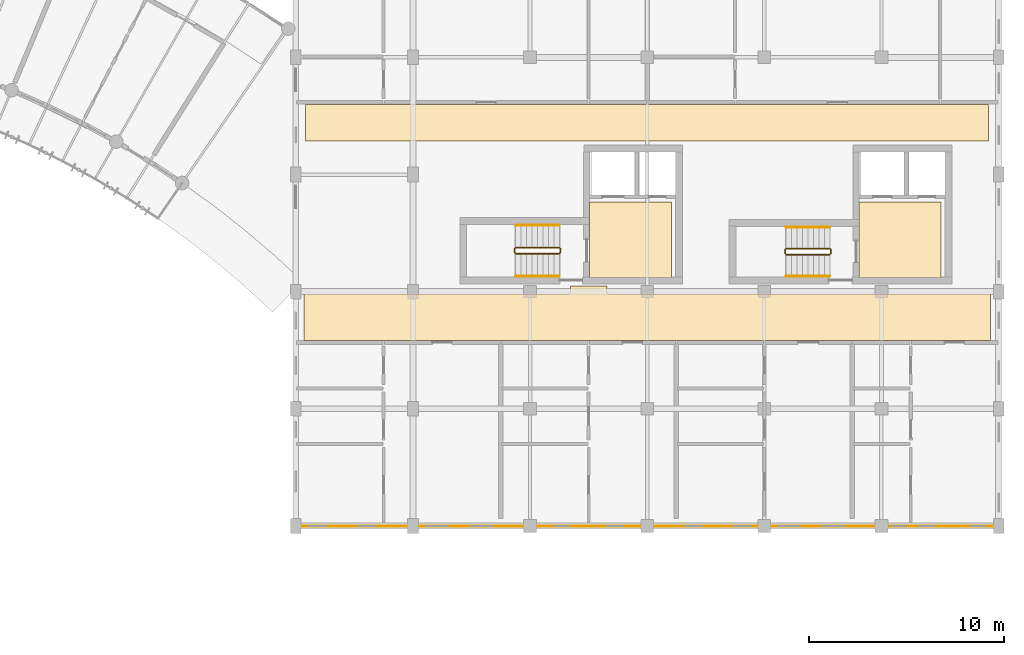
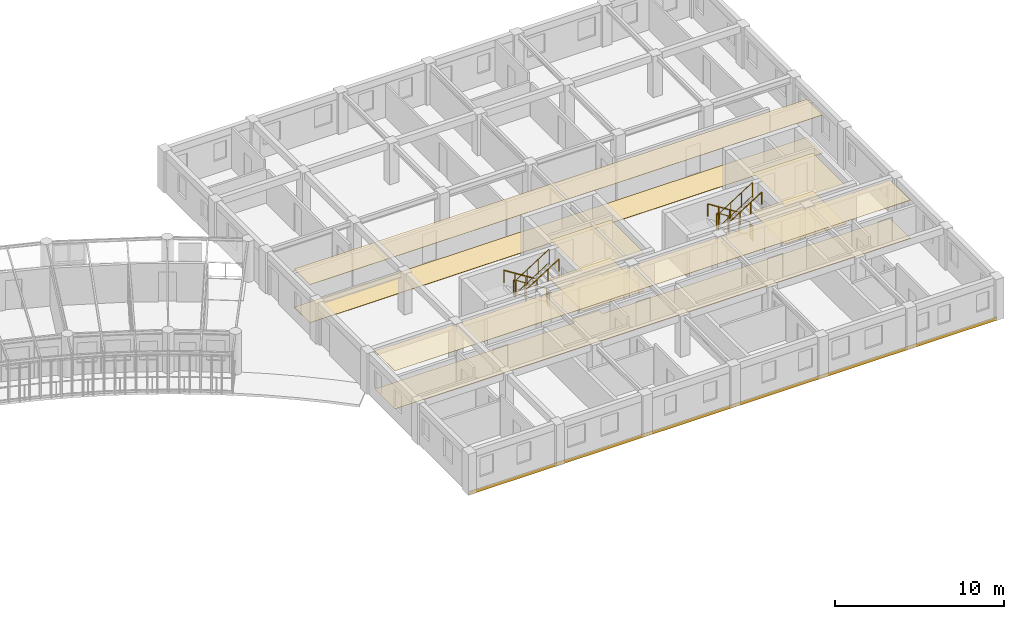
# One storey, part 99 of 100: 12 railings, 9 coverings.
"""IFC4 building model written with IfcOpenShell, lengths in metres."""

from ifc_helpers import new_model, si_unit, direction, frame, origin, origin_2d, place, context, subcontext, project, spatial, polyline, circle, outline, extrude, material, layer, layer_set, type_object, element, save


model = new_model("IFC4")

# Units and contexts
model_context = context("Model", 3, precision=1e-05, world=origin(), true_north=direction((0.0, 1.0)))
body_context = subcontext(model_context, "Body", "Model", "MODEL_VIEW")
ifc_project = project(units=[si_unit("LENGTHUNIT", "METRE"), si_unit("AREAUNIT", "SQUARE_METRE"), si_unit("VOLUMEUNIT", "CUBIC_METRE"), si_unit("PLANEANGLEUNIT", "RADIAN"), si_unit("MASSUNIT", "GRAM", prefix="KILO"), si_unit("POWERUNIT", "WATT"), si_unit("THERMODYNAMICTEMPERATUREUNIT", "KELVIN")], contexts=[model_context])

# Site, building, storey
site_placement = place(None, origin())
site = spatial("IfcSite", under=ifc_project, at=site_placement, CompositionType="ELEMENT")
building_placement = place(site_placement, origin())
building = spatial("IfcBuilding", under=site, at=building_placement, Name="Ruvembo Vaulted Housing Court", CompositionType="ELEMENT")
storey_placement = place(building_placement, frame((0.0, 0.0, 10.89990234375)))
storey = spatial("IfcBuildingStorey", under=building, at=storey_placement, Name="L03", CompositionType="ELEMENT", Elevation=10.89990234375)

# Coverings
ifc_material_1 = material(Name="Perforated Mineral-Fibre Acoustic Tile", Category="gypsum")
ifc_layer_1 = layer(ifc_material_1, 0.02001953125, Name="Perforated Mineral-Fibre Acoustic Tile")
ifc_layer_set_1 = layer_set([ifc_layer_1], Name="Perforated Mineral-Fibre Acoustic Tile")
covering_type_1 = type_object("IfcCoveringType", Name="COV-CEIL-ACOUST", PredefinedType="CEILING", material=ifc_layer_set_1)
covering_1_placement = place(storey_placement, frame((0.0, 0.0, 2.75)))
element("IfcCovering", 1, at=covering_1_placement, inside=storey, type_object=covering_type_1, Name="Protected Core Lobby D1 Ceiling", PredefinedType="CEILING", context=body_context, shape_type="SweptSolid", body=[
    extrude(outline(polyline([(169.25, 88.60009765625), (165.050048828125, 88.60009765625), (165.050048828125, 84.699951171875), (169.25, 84.699951171875), (169.25, 88.60009765625)])), origin(), (0.0, 0.0, 1.0), 0.02001953125),
])
covering_2_placement = place(storey_placement, frame((0.0, 0.0, 2.75)))
element("IfcCovering", 2, at=covering_2_placement, inside=storey, type_object=covering_type_1, Name="Protected Core Lobby D2 Ceiling", PredefinedType="CEILING", context=body_context, shape_type="SweptSolid", body=[
    extrude(outline(polyline([(183.050048828125, 88.60009765625), (178.85009765625, 88.60009765625), (178.85009765625, 84.699951171875), (183.050048828125, 84.699951171875), (183.050048828125, 88.60009765625)])), origin(), (0.0, 0.0, 1.0), 0.02001953125),
])
covering_3_placement = place(storey_placement, frame((0.0, 0.0, 2.75)))
element("IfcCovering", 3, at=covering_3_placement, inside=storey, type_object=covering_type_1, Name="Block D L03 Corridor Ceiling", PredefinedType="CEILING", context=body_context, shape_type="SweptSolid", body=[
    extrude(outline(polyline([(185.590087890625, 81.510009765625), (185.590087890625, 83.889892578125), (166.050048828125, 83.889892578125), (166.039306640625, 83.890380859375), (166.028564453125, 83.89208984375), (166.01806640625, 83.894775390625), (166.0078125, 83.8984375), (165.998046875, 83.903076171875), (165.989013671875, 83.908447265625), (165.980224609375, 83.9150390625), (165.97216796875, 83.922119140625), (165.965087890625, 83.93017578125), (165.95849609375, 83.93896484375), (165.952880859375, 83.947998046875), (165.948486328125, 83.9580078125), (165.944580078125, 83.968017578125), (165.942138671875, 83.978515625), (165.9404296875, 83.9892578125), (165.93994140625, 84.0), (165.93994140625, 84.2900390625), (164.06005859375, 84.2900390625), (164.06005859375, 84.0), (164.0595703125, 83.9892578125), (164.057861328125, 83.978515625), (164.055419921875, 83.968017578125), (164.051513671875, 83.9580078125), (164.047119140625, 83.947998046875), (164.04150390625, 83.93896484375), (164.034912109375, 83.93017578125), (164.02783203125, 83.922119140625), (164.019775390625, 83.9150390625), (164.010986328125, 83.908447265625), (164.001953125, 83.903076171875), (163.9921875, 83.8984375), (163.98193359375, 83.894775390625), (163.971435546875, 83.89208984375), (163.960693359375, 83.890380859375), (163.949951171875, 83.889892578125), (150.409912109375, 83.889892578125), (150.409912109375, 81.510009765625), (185.590087890625, 81.510009765625)])), origin(), (0.0, 0.0, 1.0), 0.02001953125),
])
covering_4_placement = place(storey_placement, frame((0.0, 0.0, 2.75)))
element("IfcCovering", 4, at=covering_4_placement, inside=storey, type_object=covering_type_1, Name="Block D L03 North Sub-Corridor Ceiling", PredefinedType="CEILING", context=body_context, shape_type="SweptSolid", body=[
    extrude(outline(polyline([(150.510009765625, 91.7099609375), (185.489990234375, 91.7099609375), (185.489990234375, 93.590087890625), (150.510009765625, 93.590087890625), (150.510009765625, 91.7099609375)])), origin(), (0.0, 0.0, 1.0), 0.02001953125),
])
ifc_material_2 = material(Name="Lime-Cement Mineral Render", Category="plaster")
ifc_layer_2 = layer(ifc_material_2, 0.02490234375, Name="Lime-Cement Mineral Render")
ifc_layer_set_2 = layer_set([ifc_layer_2], Name="Lime-Cement Mineral Render")
covering_type_2 = type_object("IfcCoveringType", Name="COV-CLAD-RENDER", PredefinedType="CLADDING", material=ifc_layer_set_2)
covering_5_placement = place(storey_placement, frame((0.0, 0.0, -0.25)))
element("IfcCovering", 5, at=covering_5_placement, inside=storey, type_object=covering_type_2, Name="Block D L03 Mineral Render Fascia Band", PredefinedType="CLADDING", context=body_context, shape_type="SweptSolid", body=[
    extrude(outline(polyline([(150.0, 71.969970703125), (186.0, 71.969970703125), (186.0, 72.0), (150.0, 72.0), (150.0, 71.969970703125)])), origin(), (0.0, 0.0, 1.0), 0.25),
])
ifc_material_3 = material(Name="Polished Cement-Aggregate Terrazzo", Category="stone")
ifc_layer_3 = layer(ifc_material_3, 0.02197265625, Name="Polished Cement-Aggregate Terrazzo")
ifc_layer_set_3 = layer_set([ifc_layer_3], Name="Polished Cement-Aggregate Terrazzo")
covering_type_3 = type_object("IfcCoveringType", Name="COV-FLR-CERAMIC", PredefinedType="FLOORING", material=ifc_layer_set_3)
covering_6_placement = place(storey_placement, origin())
element("IfcCovering", 6, at=covering_6_placement, inside=storey, type_object=covering_type_3, Name="Protected Core Lobby D1 Flooring", PredefinedType="FLOORING", context=body_context, shape_type="SweptSolid", body=[
    extrude(outline(polyline([(169.25, 88.60009765625), (165.050048828125, 88.60009765625), (165.050048828125, 84.699951171875), (169.25, 84.699951171875), (169.25, 88.60009765625)])), origin(), (0.0, 0.0, 1.0), 0.022216796875),
])
covering_7_placement = place(storey_placement, origin())
element("IfcCovering", 7, at=covering_7_placement, inside=storey, type_object=covering_type_3, Name="Protected Core Lobby D2 Flooring", PredefinedType="FLOORING", context=body_context, shape_type="SweptSolid", body=[
    extrude(outline(polyline([(183.050048828125, 88.60009765625), (178.85009765625, 88.60009765625), (178.85009765625, 84.699951171875), (183.050048828125, 84.699951171875), (183.050048828125, 88.60009765625)])), origin(), (0.0, 0.0, 1.0), 0.022216796875),
])
covering_8_placement = place(storey_placement, origin())
element("IfcCovering", 8, at=covering_8_placement, inside=storey, type_object=covering_type_3, Name="Block D L03 Corridor Flooring", PredefinedType="FLOORING", context=body_context, shape_type="SweptSolid", body=[
    extrude(outline(polyline([(185.590087890625, 81.510009765625), (185.590087890625, 83.889892578125), (166.050048828125, 83.889892578125), (166.039306640625, 83.890380859375), (166.028564453125, 83.89208984375), (166.01806640625, 83.894775390625), (166.0078125, 83.8984375), (165.998046875, 83.903076171875), (165.989013671875, 83.908447265625), (165.980224609375, 83.9150390625), (165.97216796875, 83.922119140625), (165.965087890625, 83.93017578125), (165.95849609375, 83.93896484375), (165.952880859375, 83.947998046875), (165.948486328125, 83.9580078125), (165.944580078125, 83.968017578125), (165.942138671875, 83.978515625), (165.9404296875, 83.9892578125), (165.93994140625, 84.0), (165.93994140625, 84.2900390625), (164.06005859375, 84.2900390625), (164.06005859375, 84.0), (164.0595703125, 83.9892578125), (164.057861328125, 83.978515625), (164.055419921875, 83.968017578125), (164.051513671875, 83.9580078125), (164.047119140625, 83.947998046875), (164.04150390625, 83.93896484375), (164.034912109375, 83.93017578125), (164.02783203125, 83.922119140625), (164.019775390625, 83.9150390625), (164.010986328125, 83.908447265625), (164.001953125, 83.903076171875), (163.9921875, 83.8984375), (163.98193359375, 83.894775390625), (163.971435546875, 83.89208984375), (163.960693359375, 83.890380859375), (163.949951171875, 83.889892578125), (150.409912109375, 83.889892578125), (150.409912109375, 81.510009765625), (185.590087890625, 81.510009765625)])), origin(), (0.0, 0.0, 1.0), 0.022216796875),
])
covering_9_placement = place(storey_placement, origin())
element("IfcCovering", 9, at=covering_9_placement, inside=storey, type_object=covering_type_3, Name="Block D L03 North Sub-Corridor Flooring", PredefinedType="FLOORING", context=body_context, shape_type="SweptSolid", body=[
    extrude(outline(polyline([(150.510009765625, 91.7099609375), (185.489990234375, 91.7099609375), (185.489990234375, 93.590087890625), (150.510009765625, 93.590087890625), (150.510009765625, 91.7099609375)])), origin(), (0.0, 0.0, 1.0), 0.022216796875),
])

# Railings
ifc_material_4 = material(Name="Painted Galvanised Steel S275", Category="steel")
ifc_layer_4 = layer(ifc_material_4, 0.06005859375, Name="Painted Galvanised Steel S275")
ifc_layer_set_4 = layer_set([ifc_layer_4], Name="Painted Galvanised Steel S275")
railing_type_1 = type_object("IfcRailingType", Name="RL-STAIR-GR1100", PredefinedType="GUARDRAIL", material=ifc_layer_set_4)
railing_1_placement = place(storey_placement, frame((163.5, 86.25, 0.177978515625)))
element("IfcRailing", 10, at=railing_1_placement, inside=storey, type_object=railing_type_1, Name="L03 ST-D1 stair guard 1", PredefinedType="GUARDRAIL", context=body_context, shape_type="SweptSolid", body=[
    extrude(circle(Radius=0.02392578125, at=origin_2d()), frame((0.0, 0.0, 1.076171875), z_axis=(-0.8442293374, 0.0, 0.53598211339), x_axis=(0.0, -1.0, 0.0)), (0.0, 0.0, 1.0), 2.6533203125),
    extrude(circle(Radius=0.01806640625, at=origin_2d()), frame((0.0, 0.0, 0.1201171875), z_axis=(-0.8442293374, 0.0, 0.53598211339), x_axis=(0.0, -1.0, 0.0)), (0.0, 0.0, 1.0), 2.6533203125),
    extrude(circle(Radius=0.02099609375, at=origin_2d()), origin(), (0.0, 0.0, 1.0), 1.052001953125),
    extrude(circle(Radius=0.02099609375, at=origin_2d()), frame((-0.74658203125, 0.0, 0.47412109375)), (0.0, 0.0, 1.0), 1.052001953125),
    extrude(circle(Radius=0.02099609375, at=origin_2d()), frame((-1.493408203125, 0.0, 0.947998046875)), (0.0, 0.0, 1.0), 1.052001953125),
    extrude(circle(Radius=0.02099609375, at=origin_2d()), frame((-2.239990234375, 0.0, 1.422119140625)), (0.0, 0.0, 1.0), 1.052001953125),
])
railing_2_placement = place(storey_placement, frame((161.2099609375, 86.199951171875, 1.60009765625)))
element("IfcRailing", 11, at=railing_2_placement, inside=storey, type_object=railing_type_1, Name="L03 ST-D1 stair guard 2", PredefinedType="GUARDRAIL", context=body_context, shape_type="SweptSolid", body=[
    extrude(circle(Radius=0.02392578125, at=origin_2d()), frame((0.0, 0.0, 1.076171875), z_axis=(0.0, -1.0, 0.0), x_axis=(1.0, 0.0, 0.0)), (0.0, 0.0, 1.0), 0.199951171875),
    extrude(circle(Radius=0.01806640625, at=origin_2d()), frame((0.0, 0.0, 0.1201171875), z_axis=(0.0, -1.0, 0.0), x_axis=(1.0, 0.0, 0.0)), (0.0, 0.0, 1.0), 0.199951171875),
    extrude(circle(Radius=0.02099609375, at=origin_2d()), origin(), (0.0, 0.0, 1.0), 1.052001953125),
    extrude(circle(Radius=0.02099609375, at=origin_2d()), frame((0.0, -0.199951171875, 0.0)), (0.0, 0.0, 1.0), 1.052001953125),
])
railing_3_placement = place(storey_placement, frame((161.260009765625, 85.949951171875, 1.77783203125)))
element("IfcRailing", 12, at=railing_3_placement, inside=storey, type_object=railing_type_1, Name="L03 ST-D1 stair guard 3", PredefinedType="GUARDRAIL", context=body_context, shape_type="SweptSolid", body=[
    extrude(circle(Radius=0.02392578125, at=origin_2d()), frame((0.0, 0.0, 1.076171875), z_axis=(0.84418770128, 0.0, 0.536047689118), x_axis=(0.0, 1.0, 0.0)), (0.0, 0.0, 1.0), 2.6533203125),
    extrude(circle(Radius=0.01806640625, at=origin_2d()), frame((0.0, 0.0, 0.1201171875), z_axis=(0.84418770128, 0.0, 0.536047689118), x_axis=(0.0, 1.0, 0.0)), (0.0, 0.0, 1.0), 2.6533203125),
    extrude(circle(Radius=0.02099609375, at=origin_2d()), origin(), (0.0, 0.0, 1.0), 1.052001953125),
    extrude(circle(Radius=0.02099609375, at=origin_2d()), frame((0.74658203125, 0.0, 0.47412109375)), (0.0, 0.0, 1.0), 1.052001953125),
    extrude(circle(Radius=0.02099609375, at=origin_2d()), frame((1.493408203125, 0.0, 0.9482421875)), (0.0, 0.0, 1.0), 1.052001953125),
    extrude(circle(Radius=0.02099609375, at=origin_2d()), frame((2.239990234375, 0.0, 1.42236328125)), (0.0, 0.0, 1.0), 1.052001953125),
])
railing_4_placement = place(storey_placement, frame((163.550048828125, 86.199951171875, 0.0)))
element("IfcRailing", 13, at=railing_4_placement, inside=storey, type_object=railing_type_1, Name="L03 ST-D1 stair guard 4", PredefinedType="GUARDRAIL", context=body_context, shape_type="SweptSolid", body=[
    extrude(circle(Radius=0.02392578125, at=origin_2d()), frame((0.0, 0.0, 1.076171875), z_axis=(0.0, -1.0, 0.0), x_axis=(1.0, 0.0, 0.0)), (0.0, 0.0, 1.0), 0.199951171875),
    extrude(circle(Radius=0.01806640625, at=origin_2d()), frame((0.0, 0.0, 0.1201171875), z_axis=(0.0, -1.0, 0.0), x_axis=(1.0, 0.0, 0.0)), (0.0, 0.0, 1.0), 0.199951171875),
    extrude(circle(Radius=0.02099609375, at=origin_2d()), origin(), (0.0, 0.0, 1.0), 1.052001953125),
    extrude(circle(Radius=0.02099609375, at=origin_2d()), frame((0.0, -0.199951171875, 0.0)), (0.0, 0.0, 1.0), 1.052001953125),
])
railing_5_placement = place(storey_placement, frame((177.35009765625, 86.199951171875, 0.177978515625)))
element("IfcRailing", 14, at=railing_5_placement, inside=storey, type_object=railing_type_1, Name="L03 ST-D2 stair guard 1", PredefinedType="GUARDRAIL", context=body_context, shape_type="SweptSolid", body=[
    extrude(circle(Radius=0.02392578125, at=origin_2d()), frame((0.0, 0.0, 1.076171875), z_axis=(-0.8442293374, 0.0, 0.53598211339), x_axis=(0.0, -1.0, 0.0)), (0.0, 0.0, 1.0), 2.6533203125),
    extrude(circle(Radius=0.01806640625, at=origin_2d()), frame((0.0, 0.0, 0.1201171875), z_axis=(-0.8442293374, 0.0, 0.53598211339), x_axis=(0.0, -1.0, 0.0)), (0.0, 0.0, 1.0), 2.6533203125),
    extrude(circle(Radius=0.02099609375, at=origin_2d()), origin(), (0.0, 0.0, 1.0), 1.052001953125),
    extrude(circle(Radius=0.02099609375, at=origin_2d()), frame((-0.74658203125, 0.0, 0.47412109375)), (0.0, 0.0, 1.0), 1.052001953125),
    extrude(circle(Radius=0.02099609375, at=origin_2d()), frame((-1.493408203125, 0.0, 0.947998046875)), (0.0, 0.0, 1.0), 1.052001953125),
    extrude(circle(Radius=0.02099609375, at=origin_2d()), frame((-2.239990234375, 0.0, 1.422119140625)), (0.0, 0.0, 1.0), 1.052001953125),
])
railing_6_placement = place(storey_placement, frame((175.06005859375, 86.14990234375, 1.60009765625)))
element("IfcRailing", 15, at=railing_6_placement, inside=storey, type_object=railing_type_1, Name="L03 ST-D2 stair guard 2", PredefinedType="GUARDRAIL", context=body_context, shape_type="SweptSolid", body=[
    extrude(circle(Radius=0.02392578125, at=origin_2d()), frame((0.0, 0.0, 1.076171875), z_axis=(0.0, -1.0, 0.0), x_axis=(1.0, 0.0, 0.0)), (0.0, 0.0, 1.0), 0.199951171875),
    extrude(circle(Radius=0.01806640625, at=origin_2d()), frame((0.0, 0.0, 0.1201171875), z_axis=(0.0, -1.0, 0.0), x_axis=(1.0, 0.0, 0.0)), (0.0, 0.0, 1.0), 0.199951171875),
    extrude(circle(Radius=0.02099609375, at=origin_2d()), origin(), (0.0, 0.0, 1.0), 1.052001953125),
    extrude(circle(Radius=0.02099609375, at=origin_2d()), frame((0.0, -0.199951171875, 0.0)), (0.0, 0.0, 1.0), 1.052001953125),
])
railing_7_placement = place(storey_placement, frame((175.110107421875, 85.89990234375, 1.77783203125)))
element("IfcRailing", 16, at=railing_7_placement, inside=storey, type_object=railing_type_1, Name="L03 ST-D2 stair guard 3", PredefinedType="GUARDRAIL", context=body_context, shape_type="SweptSolid", body=[
    extrude(circle(Radius=0.02392578125, at=origin_2d()), frame((0.0, 0.0, 1.076171875), z_axis=(0.84418770128, 0.0, 0.536047689118), x_axis=(0.0, 1.0, 0.0)), (0.0, 0.0, 1.0), 2.6533203125),
    extrude(circle(Radius=0.01806640625, at=origin_2d()), frame((0.0, 0.0, 0.1201171875), z_axis=(0.84418770128, 0.0, 0.536047689118), x_axis=(0.0, 1.0, 0.0)), (0.0, 0.0, 1.0), 2.6533203125),
    extrude(circle(Radius=0.02099609375, at=origin_2d()), origin(), (0.0, 0.0, 1.0), 1.052001953125),
    extrude(circle(Radius=0.02099609375, at=origin_2d()), frame((0.74658203125, 0.0, 0.47412109375)), (0.0, 0.0, 1.0), 1.052001953125),
    extrude(circle(Radius=0.02099609375, at=origin_2d()), frame((1.493408203125, 0.0, 0.9482421875)), (0.0, 0.0, 1.0), 1.052001953125),
    extrude(circle(Radius=0.02099609375, at=origin_2d()), frame((2.239990234375, 0.0, 1.42236328125)), (0.0, 0.0, 1.0), 1.052001953125),
])
railing_8_placement = place(storey_placement, frame((177.39990234375, 86.14990234375, 0.0)))
element("IfcRailing", 17, at=railing_8_placement, inside=storey, type_object=railing_type_1, Name="L03 ST-D2 stair guard 4", PredefinedType="GUARDRAIL", context=body_context, shape_type="SweptSolid", body=[
    extrude(circle(Radius=0.02392578125, at=origin_2d()), frame((0.0, 0.0, 1.076171875), z_axis=(0.0, -1.0, 0.0), x_axis=(1.0, 0.0, 0.0)), (0.0, 0.0, 1.0), 0.199951171875),
    extrude(circle(Radius=0.01806640625, at=origin_2d()), frame((0.0, 0.0, 0.1201171875), z_axis=(0.0, -1.0, 0.0), x_axis=(1.0, 0.0, 0.0)), (0.0, 0.0, 1.0), 0.199951171875),
    extrude(circle(Radius=0.02099609375, at=origin_2d()), origin(), (0.0, 0.0, 1.0), 1.052001953125),
    extrude(circle(Radius=0.02099609375, at=origin_2d()), frame((0.0, -0.199951171875, 0.0)), (0.0, 0.0, 1.0), 1.052001953125),
])
ifc_material_5 = material(Name="Brushed Stainless Steel 304", Category="steel")
ifc_layer_5 = layer(ifc_material_5, 0.050048828125, Name="Brushed Stainless Steel 304")
ifc_layer_set_5 = layer_set([ifc_layer_5], Name="Brushed Stainless Steel 304")
railing_type_2 = type_object("IfcRailingType", Name="RL-STAIR-HR920", PredefinedType="HANDRAIL", material=ifc_layer_set_5)
railing_9_placement = place(storey_placement, frame((163.5, 87.39990234375, 0.359375)))
element("IfcRailing", 18, at=railing_9_placement, inside=storey, type_object=railing_type_2, Name="L03 ST-D1 stair handrail 1", PredefinedType="HANDRAIL", context=body_context, shape_type="SweptSolid", body=[
    extrude(circle(Radius=0.02392578125, at=origin_2d()), frame((0.0, 0.0, 0.8759765625), z_axis=(-0.8442293374, 0.0, 0.53598211339), x_axis=(0.0, -1.0, 0.0)), (0.0, 0.0, 1.0), 2.6533203125),
    extrude(circle(Radius=0.02099609375, at=origin_2d()), origin(), (0.0, 0.0, 1.0), 0.851806640625),
    extrude(circle(Radius=0.02099609375, at=origin_2d()), frame((-0.74658203125, 0.0, 0.47412109375)), (0.0, 0.0, 1.0), 0.851806640625),
    extrude(circle(Radius=0.02099609375, at=origin_2d()), frame((-1.493408203125, 0.0, 0.947998046875)), (0.0, 0.0, 1.0), 0.851806640625),
    extrude(circle(Radius=0.02099609375, at=origin_2d()), frame((-2.239990234375, 0.0, 1.422119140625)), (0.0, 0.0, 1.0), 0.851806640625),
])
railing_10_placement = place(storey_placement, frame((161.260009765625, 84.800048828125, 1.95947265625)))
element("IfcRailing", 19, at=railing_10_placement, inside=storey, type_object=railing_type_2, Name="L03 ST-D1 stair handrail 2", PredefinedType="HANDRAIL", context=body_context, shape_type="SweptSolid", body=[
    extrude(circle(Radius=0.02392578125, at=origin_2d()), frame((0.0, 0.0, 0.8759765625), z_axis=(0.8442293374, 0.0, 0.53598211339), x_axis=(0.0, 1.0, 0.0)), (0.0, 0.0, 1.0), 2.6533203125),
    extrude(circle(Radius=0.02099609375, at=origin_2d()), origin(), (0.0, 0.0, 1.0), 0.851806640625),
    extrude(circle(Radius=0.02099609375, at=origin_2d()), frame((0.74658203125, 0.0, 0.47412109375)), (0.0, 0.0, 1.0), 0.851806640625),
    extrude(circle(Radius=0.02099609375, at=origin_2d()), frame((1.493408203125, 0.0, 0.947998046875)), (0.0, 0.0, 1.0), 0.851806640625),
    extrude(circle(Radius=0.02099609375, at=origin_2d()), frame((2.239990234375, 0.0, 1.422119140625)), (0.0, 0.0, 1.0), 0.851806640625),
])
railing_11_placement = place(storey_placement, frame((177.35009765625, 87.300048828125, 0.359375)))
element("IfcRailing", 20, at=railing_11_placement, inside=storey, type_object=railing_type_2, Name="L03 ST-D2 stair handrail 1", PredefinedType="HANDRAIL", context=body_context, shape_type="SweptSolid", body=[
    extrude(circle(Radius=0.02392578125, at=origin_2d()), frame((0.0, 0.0, 0.8759765625), z_axis=(-0.8442293374, 0.0, 0.53598211339), x_axis=(0.0, -1.0, 0.0)), (0.0, 0.0, 1.0), 2.6533203125),
    extrude(circle(Radius=0.02099609375, at=origin_2d()), origin(), (0.0, 0.0, 1.0), 0.851806640625),
    extrude(circle(Radius=0.02099609375, at=origin_2d()), frame((-0.74658203125, 0.0, 0.47412109375)), (0.0, 0.0, 1.0), 0.851806640625),
    extrude(circle(Radius=0.02099609375, at=origin_2d()), frame((-1.493408203125, 0.0, 0.947998046875)), (0.0, 0.0, 1.0), 0.851806640625),
    extrude(circle(Radius=0.02099609375, at=origin_2d()), frame((-2.239990234375, 0.0, 1.422119140625)), (0.0, 0.0, 1.0), 0.851806640625),
])
railing_12_placement = place(storey_placement, frame((175.110107421875, 84.800048828125, 1.95947265625)))
element("IfcRailing", 21, at=railing_12_placement, inside=storey, type_object=railing_type_2, Name="L03 ST-D2 stair handrail 2", PredefinedType="HANDRAIL", context=body_context, shape_type="SweptSolid", body=[
    extrude(circle(Radius=0.02392578125, at=origin_2d()), frame((0.0, 0.0, 0.8759765625), z_axis=(0.8442293374, 0.0, 0.53598211339), x_axis=(0.0, 1.0, 0.0)), (0.0, 0.0, 1.0), 2.6533203125),
    extrude(circle(Radius=0.02099609375, at=origin_2d()), origin(), (0.0, 0.0, 1.0), 0.851806640625),
    extrude(circle(Radius=0.02099609375, at=origin_2d()), frame((0.74658203125, 0.0, 0.47412109375)), (0.0, 0.0, 1.0), 0.851806640625),
    extrude(circle(Radius=0.02099609375, at=origin_2d()), frame((1.493408203125, 0.0, 0.947998046875)), (0.0, 0.0, 1.0), 0.851806640625),
    extrude(circle(Radius=0.02099609375, at=origin_2d()), frame((2.239990234375, 0.0, 1.422119140625)), (0.0, 0.0, 1.0), 0.851806640625),
])

save(model, "model.ifc")
